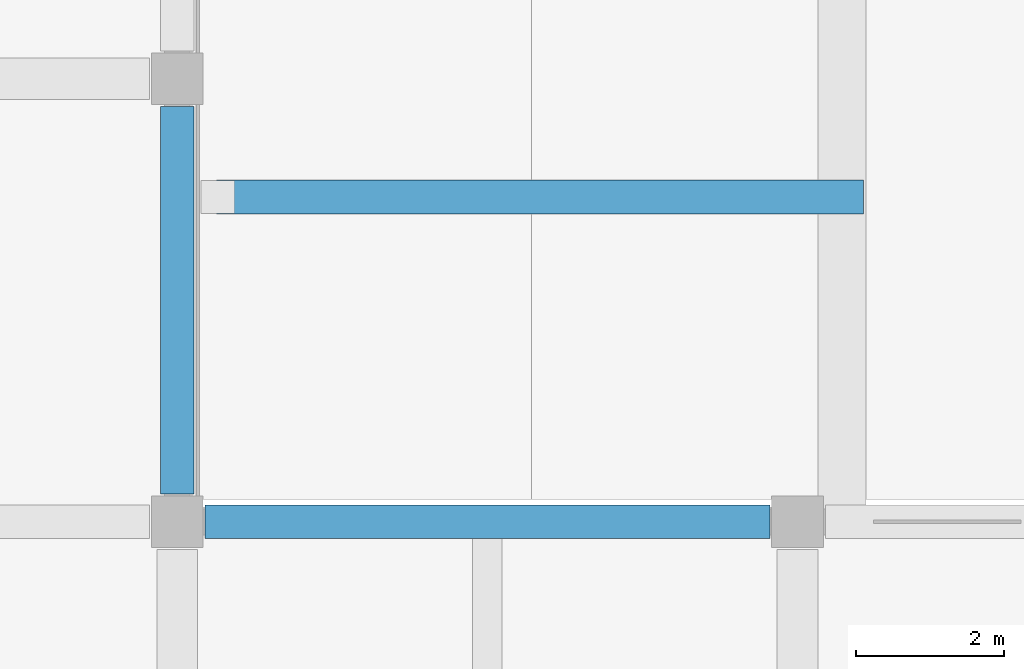
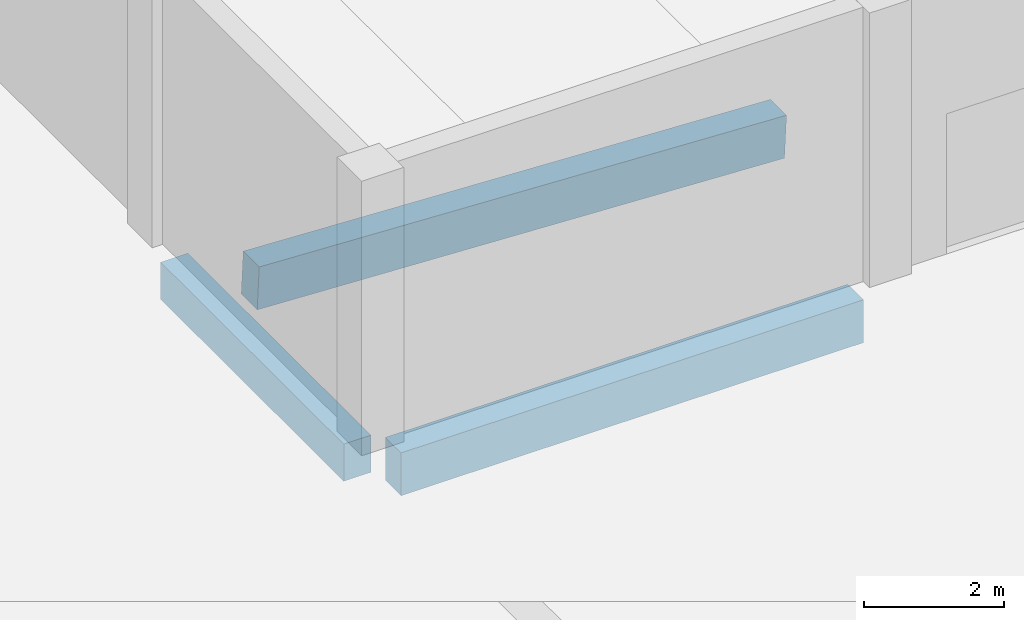
# One storey, part 10 of 91: 3 beams.
"""IFC4 building model written with IfcOpenShell, lengths in metres."""

from ifc_helpers import new_model, si_unit, direction, frame, origin, origin_2d, place, context, subcontext, project, spatial, rectangle, extrude, material, material_profile, profile_set, type_object, element, save


model = new_model("IFC4")

# Units and contexts
model_context = context("Model", 3, precision=1e-05, world=origin(), true_north=direction((0.0, 1.0)))
body_context = subcontext(model_context, "Body", "Model", "MODEL_VIEW")
ifc_project = project(units=[si_unit("LENGTHUNIT", "METRE"), si_unit("AREAUNIT", "SQUARE_METRE"), si_unit("VOLUMEUNIT", "CUBIC_METRE"), si_unit("PLANEANGLEUNIT", "RADIAN"), si_unit("MASSUNIT", "GRAM", prefix="KILO")], contexts=[model_context])

# Site, building, storey
site_placement = place(None, origin())
site = spatial("IfcSite", under=ifc_project, at=site_placement, CompositionType="ELEMENT")
building_placement = place(site_placement, origin())
building = spatial("IfcBuilding", under=site, at=building_placement, Name="Pellamere Symphony Hall", CompositionType="ELEMENT")
storey_placement = place(building_placement, frame((0.0, 0.0, 5.39990234375)))
storey = spatial("IfcBuildingStorey", under=building, at=storey_placement, Name="L01", CompositionType="ELEMENT", Elevation=5.39990234375)

# Beams
ifc_material = material(Name="Concrete 40 MPa", Category="concrete")
ifc_material_profile_1 = material_profile(ifc_material, rectangle(XDim=0.449951171875, YDim=0.64990234375, at=origin_2d()), Name="RC 450x650")
ifc_profile_set_1 = profile_set([ifc_material_profile_1], Name="Concrete 40 MPa")
beam_type_1 = type_object("IfcBeamType", Name="RC CB-08 450x650", PredefinedType="BEAM", material=ifc_profile_set_1)
beam_1_placement = place(storey_placement, frame((8.39990234375, 18.375, -0.60498046875), z_axis=(0.0, 1.0, 0.0), x_axis=(-1.0, 0.0, 0.0)))
element("IfcBeam", 1, at=beam_1_placement, inside=storey, type_object=beam_type_1, Name="Girder CB-08-Y0721 (L01)", PredefinedType="BEAM", context=body_context, shape_type="SweptSolid", body=[
    extrude(rectangle(XDim=0.449951171875, YDim=0.64990234375, at=origin_2d()), origin(), (0.0, 0.0, 1.0), 5.25),
])
ifc_material_profile_2 = material_profile(ifc_material, rectangle(XDim=0.449951171875, YDim=0.75, at=origin_2d()), Name="RC 450x750")
ifc_profile_set_2 = profile_set([ifc_material_profile_2], Name="Concrete 40 MPa")
beam_type_2 = type_object("IfcBeamType", Name="RC CB-12 450x750", PredefinedType="SPANDREL", material=ifc_profile_set_2)
beam_2_placement = place(storey_placement, frame((8.77490234375, 18.0, -0.65478515625), z_axis=(1.0, 0.0, 0.0), x_axis=(0.0, 1.0, 0.0)))
element("IfcBeam", 2, at=beam_2_placement, inside=storey, type_object=beam_type_2, Name="Girder CB-12-X0543 (L01)", PredefinedType="SPANDREL", context=body_context, shape_type="SweptSolid", body=[
    extrude(rectangle(XDim=0.449951171875, YDim=0.75, at=origin_2d()), origin(), (0.0, 0.0, 1.0), 7.650146484375),
])
ifc_material_profile_3 = material_profile(ifc_material, rectangle(XDim=0.4599609375, YDim=0.739990234375, at=origin_2d()), Name="RC 460x740")
ifc_profile_set_3 = profile_set([ifc_material_profile_3], Name="Concrete 40 MPa")
beam_type_3 = type_object("IfcBeamType", Name="RC RK-04 460x740", PredefinedType="BEAM", material=ifc_profile_set_3)
beam_3_placement = place(storey_placement, frame((17.675048828125, 22.39990234375, -0.52978515625), z_axis=(-0.998951294076, 0.0, 0.045785500579), x_axis=(0.0, -1.0, 0.0)))
element("IfcBeam", 3, at=beam_3_placement, inside=storey, type_object=beam_type_3, Name="Stand Chamber Gallery Raker Beam RK-04-069", PredefinedType="BEAM", context=body_context, shape_type="SweptSolid", body=[
    extrude(rectangle(XDim=0.4599609375, YDim=0.739990234375, at=origin_2d()), origin(), (0.0, 0.0, 1.0), 8.734375),
])

save(model, "model.ifc")
